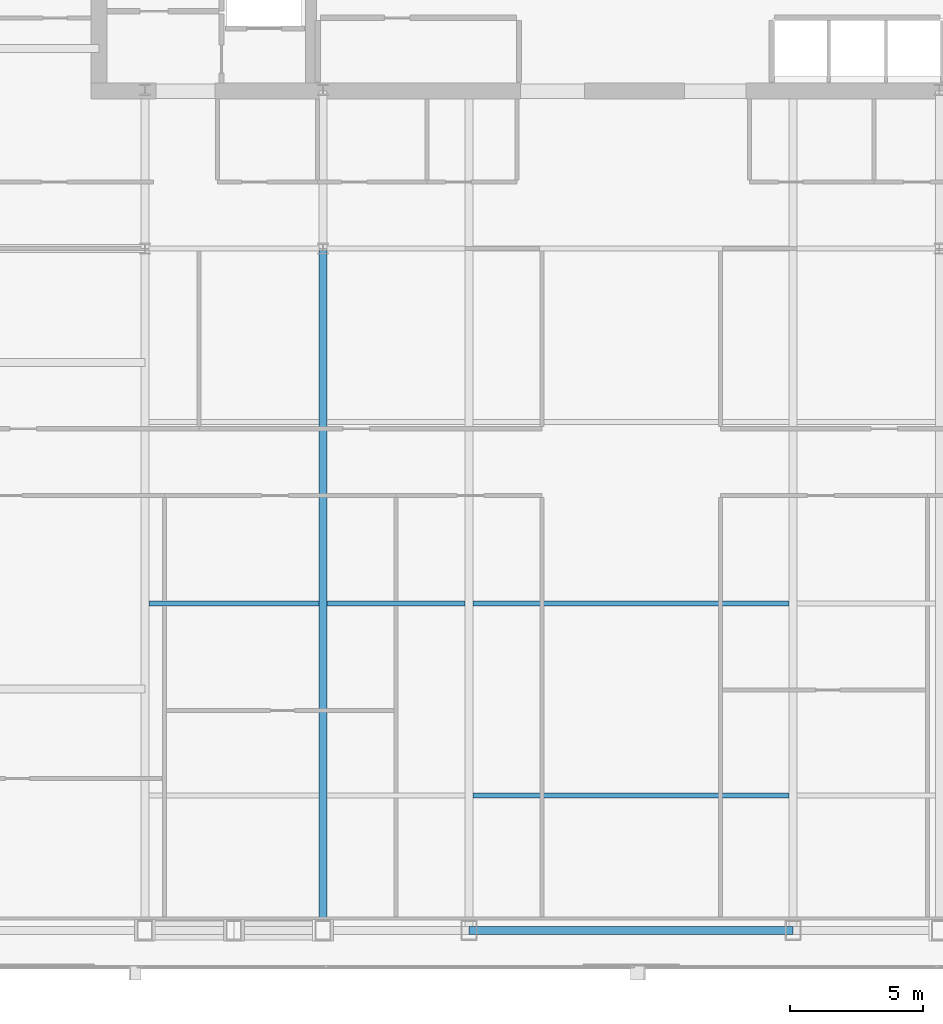
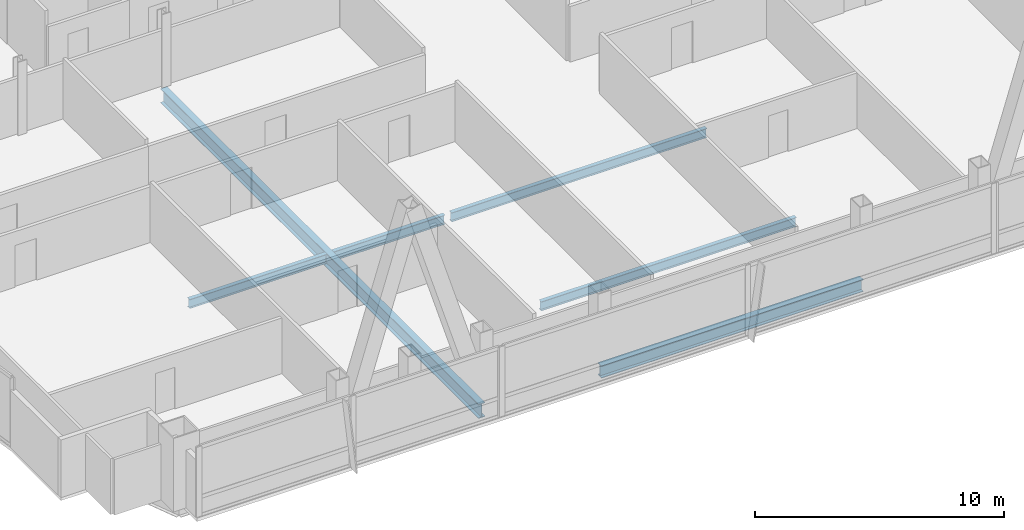
# One storey, part 9 of 32: 6 beams.
"""IFC4 building model written with IfcOpenShell, lengths in metres."""

from ifc_helpers import new_model, si_unit, direction, frame, origin, origin_2d, place, context, subcontext, project, spatial, i_section, extrude, material, material_profile, profile_set, type_object, element, save


model = new_model("IFC4")

# Units and contexts
model_context = context("Model", 3, precision=1e-05, world=origin(), true_north=direction((0.0, 1.0)))
body_context = subcontext(model_context, "Body", "Model", "MODEL_VIEW")
ifc_project = project(units=[si_unit("LENGTHUNIT", "METRE"), si_unit("AREAUNIT", "SQUARE_METRE"), si_unit("VOLUMEUNIT", "CUBIC_METRE"), si_unit("PLANEANGLEUNIT", "RADIAN"), si_unit("MASSUNIT", "GRAM", prefix="KILO")], contexts=[model_context])

# Site, building, storey
site_placement = place(None, origin())
site = spatial("IfcSite", under=ifc_project, at=site_placement, CompositionType="ELEMENT")
building_placement = place(site_placement, origin())
building = spatial("IfcBuilding", under=site, at=building_placement, Name="Khoronbel Lancet Exchange", CompositionType="ELEMENT")
storey_placement = place(building_placement, frame((0.0, 0.0, 199.39990234375)))
storey = spatial("IfcBuildingStorey", under=building, at=storey_placement, Name="L50", CompositionType="ELEMENT", Elevation=199.39990234375)

# Beams
ifc_material = material(Name="Steel S355", Category="steel")
ifc_material_profile_1 = material_profile(ifc_material, i_section(OverallWidth=0.300048828125, OverallDepth=0.699951171875, WebThickness=0.01708984375, FlangeThickness=0.031982421875, at=origin_2d()), Name="HEB 700")
ifc_profile_set_1 = profile_set([ifc_material_profile_1], Name="Steel S355")
beam_type_1 = type_object("IfcBeamType", Name="BM-BG3", PredefinedType="BEAM", material=ifc_profile_set_1)
beam_1_placement = place(storey_placement, frame((24.89990234375, 10.14990234375, -0.510009765625), z_axis=(0.0, 1.0, 0.0), x_axis=(-1.0, 0.0, 0.0)))
element("IfcBeam", 1, at=beam_1_placement, inside=storey, type_object=beam_type_1, Name="Level L50 south primary girder GS2", PredefinedType="BEAM", context=body_context, shape_type="SweptSolid", body=[
    extrude(i_section(OverallWidth=0.300048828125, OverallDepth=0.699951171875, WebThickness=0.01708984375, FlangeThickness=0.031982421875, at=origin_2d()), origin(), (0.0, 0.0, 1.0), 25.550048828125),
])
ifc_material_profile_2 = material_profile(ifc_material, i_section(OverallWidth=0.18994140625, OverallDepth=0.449951171875, WebThickness=0.009521484375, FlangeThickness=0.0146484375, at=origin_2d()), Name="IPE 450")
ifc_profile_set_2 = profile_set([ifc_material_profile_2], Name="Steel S355")
beam_type_2 = type_object("IfcBeamType", Name="BM-BJ4", PredefinedType="JOIST", material=ifc_profile_set_2)
beam_2_placement = place(storey_placement, frame((30.52490234375, 15.199951171875, -0.385009765625), z_axis=(1.0, 0.0, 0.0), x_axis=(0.0, 1.0, 0.0)))
element("IfcBeam", 2, at=beam_2_placement, inside=storey, type_object=beam_type_2, Name="Level L50 secondary composite joist J03", PredefinedType="JOIST", context=body_context, shape_type="SweptSolid", body=[
    extrude(i_section(OverallWidth=0.18994140625, OverallDepth=0.449951171875, WebThickness=0.009521484375, FlangeThickness=0.0146484375, at=origin_2d()), origin(), (0.0, 0.0, 1.0), 11.85009765625),
])
beam_3_placement = place(storey_placement, frame((18.375, 22.39990234375, -0.385009765625), z_axis=(1.0, 0.0, 0.0), x_axis=(0.0, 1.0, 0.0)))
element("IfcBeam", 3, at=beam_3_placement, inside=storey, type_object=beam_type_2, Name="Level L50 secondary composite joist J06", PredefinedType="JOIST", context=body_context, shape_type="SweptSolid", body=[
    extrude(i_section(OverallWidth=0.18994140625, OverallDepth=0.449951171875, WebThickness=0.009521484375, FlangeThickness=0.0146484375, at=origin_2d()), origin(), (0.0, 0.0, 1.0), 6.375),
])
beam_4_placement = place(storey_placement, frame((25.050048828125, 22.39990234375, -0.385009765625), z_axis=(1.0, 0.0, 0.0), x_axis=(0.0, 1.0, 0.0)))
element("IfcBeam", 4, at=beam_4_placement, inside=storey, type_object=beam_type_2, Name="Level L50 secondary composite joist J07", PredefinedType="JOIST", context=body_context, shape_type="SweptSolid", body=[
    extrude(i_section(OverallWidth=0.18994140625, OverallDepth=0.449951171875, WebThickness=0.009521484375, FlangeThickness=0.0146484375, at=origin_2d()), origin(), (0.0, 0.0, 1.0), 5.175048828125),
])
beam_5_placement = place(storey_placement, frame((30.52490234375, 22.39990234375, -0.385009765625), z_axis=(1.0, 0.0, 0.0), x_axis=(0.0, 1.0, 0.0)))
element("IfcBeam", 5, at=beam_5_placement, inside=storey, type_object=beam_type_2, Name="Level L50 secondary composite joist J08", PredefinedType="JOIST", context=body_context, shape_type="SweptSolid", body=[
    extrude(i_section(OverallWidth=0.18994140625, OverallDepth=0.449951171875, WebThickness=0.009521484375, FlangeThickness=0.0146484375, at=origin_2d()), origin(), (0.0, 0.0, 1.0), 11.85009765625),
])
ifc_material_profile_3 = material_profile(ifc_material, i_section(OverallWidth=0.300048828125, OverallDepth=0.60009765625, WebThickness=0.015380859375, FlangeThickness=0.030029296875, at=origin_2d()), Name="HEB 600")
ifc_profile_set_3 = profile_set([ifc_material_profile_3], Name="Steel S355")
beam_type_3 = type_object("IfcBeamType", Name="BM-BSP2", PredefinedType="SPANDREL", material=ifc_profile_set_3)
beam_6_placement = place(storey_placement, frame((30.375, 10.14990234375, -0.4599609375), z_axis=(1.0, 0.0, 0.0), x_axis=(0.0, 1.0, 0.0)))
element("IfcBeam", 6, at=beam_6_placement, inside=storey, type_object=beam_type_3, Name="Level L50 perimeter spandrel beam SP05", PredefinedType="SPANDREL", context=body_context, shape_type="SweptSolid", body=[
    extrude(i_section(OverallWidth=0.300048828125, OverallDepth=0.60009765625, WebThickness=0.015380859375, FlangeThickness=0.030029296875, at=origin_2d()), origin(), (0.0, 0.0, 1.0), 12.14990234375),
])

save(model, "model.ifc")
